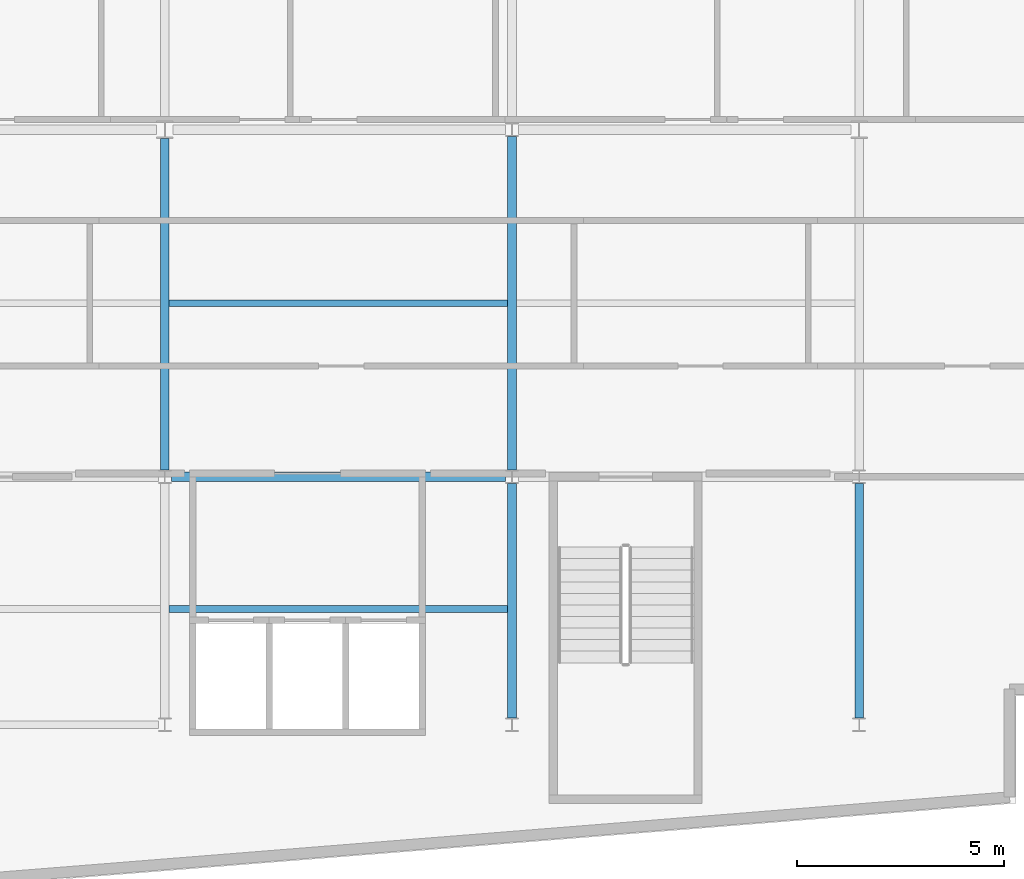
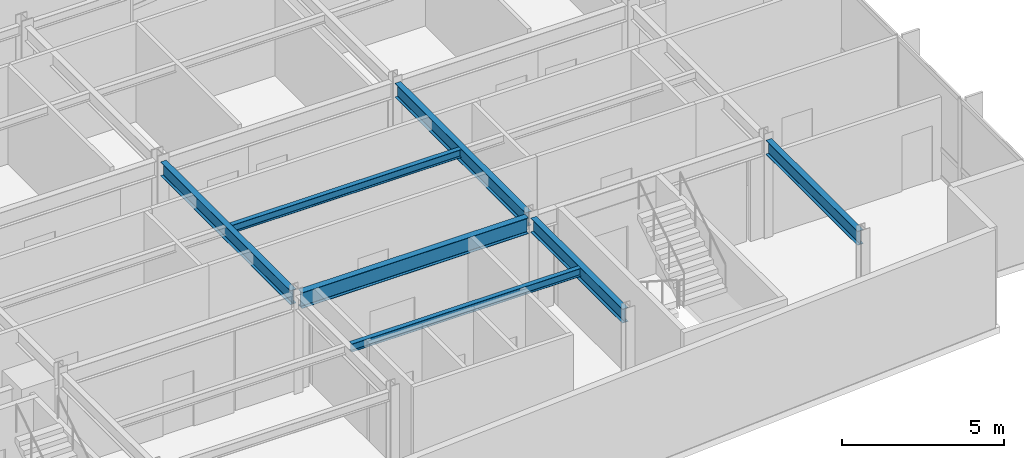
# One storey, part 4 of 17: 7 beams.
"""IFC4 building model written with IfcOpenShell, lengths in metres."""

from ifc_helpers import new_model, si_unit, direction, frame, origin, origin_2d, place, context, subcontext, project, spatial, i_section, extrude, material, material_profile, profile_set, type_object, element, save


model = new_model("IFC4")

# Units and contexts
model_context = context("Model", 3, precision=1e-05, world=origin(), true_north=direction((0.0, 1.0)))
body_context = subcontext(model_context, "Body", "Model", "MODEL_VIEW")
ifc_project = project(units=[si_unit("LENGTHUNIT", "METRE"), si_unit("AREAUNIT", "SQUARE_METRE"), si_unit("VOLUMEUNIT", "CUBIC_METRE"), si_unit("PLANEANGLEUNIT", "RADIAN"), si_unit("MASSUNIT", "GRAM", prefix="KILO")], contexts=[model_context])

# Site, building, storey
site_placement = place(None, origin())
site = spatial("IfcSite", under=ifc_project, at=site_placement, CompositionType="ELEMENT")
building_placement = place(site_placement, origin())
building = spatial("IfcBuilding", under=site, at=building_placement, Name="Varnakote Quay Hospital", CompositionType="ELEMENT")
storey_placement = place(building_placement, frame((0.0, 0.0, 127.050048828125)))
storey = spatial("IfcBuildingStorey", under=building, at=storey_placement, Name="L31", CompositionType="ELEMENT", Elevation=127.050048828125)

# Beams
ifc_material_1 = material(Name="Structural steel AS/NZS 3679.1 Grade 350 L0 (fy 340 MPa)", Category="steel")
ifc_material_profile_1 = material_profile(ifc_material_1, i_section(OverallWidth=0.208984375, OverallDepth=0.532958984375, WebThickness=0.01025390625, FlangeThickness=0.015625, FilletRadius=0.013916015625, at=origin_2d()), Name="530UB92.4")
ifc_profile_set_1 = profile_set([ifc_material_profile_1], Name="Structural steel AS/NZS 3679.1 Grade 350 L0 (fy 340 MPa)")
beam_type_1 = type_object("IfcBeamType", Name="BM-STL-530UB92-4", PredefinedType="BEAM", material=ifc_profile_set_1)
beam_1_placement = place(storey_placement, frame((33.60009765625, 12.160400390625, 3.443359375), z_axis=(0.0, 1.0, 0.0), x_axis=(-1.0, 0.0, 0.0)))
element("IfcBeam", 1, at=beam_1_placement, inside=storey, type_object=beam_type_1, Name="L31 Primary Tie Beam", PredefinedType="BEAM", context=body_context, shape_type="SweptSolid", body=[
    extrude(i_section(OverallWidth=0.208984375, OverallDepth=0.532958984375, WebThickness=0.01025390625, FlangeThickness=0.015625, FilletRadius=0.013916015625, at=origin_2d()), origin(), (0.0, 0.0, 1.0), 8.029541015625),
])
beam_2_placement = place(storey_placement, frame((42.0, 6.160400390625, 3.443359375), z_axis=(0.0, 1.0, 0.0), x_axis=(-1.0, 0.0, 0.0)))
element("IfcBeam", 2, at=beam_2_placement, inside=storey, type_object=beam_type_1, Name="L31 Primary Tie Beam", PredefinedType="BEAM", context=body_context, shape_type="SweptSolid", body=[
    extrude(i_section(OverallWidth=0.208984375, OverallDepth=0.532958984375, WebThickness=0.01025390625, FlangeThickness=0.015625, FilletRadius=0.013916015625, at=origin_2d()), origin(), (0.0, 0.0, 1.0), 5.67919921875),
])
beam_3_placement = place(storey_placement, frame((42.0, 12.160400390625, 3.443359375), z_axis=(0.0, 1.0, 0.0), x_axis=(-1.0, 0.0, 0.0)))
element("IfcBeam", 3, at=beam_3_placement, inside=storey, type_object=beam_type_1, Name="L31 Primary Tie Beam", PredefinedType="BEAM", context=body_context, shape_type="SweptSolid", body=[
    extrude(i_section(OverallWidth=0.208984375, OverallDepth=0.532958984375, WebThickness=0.01025390625, FlangeThickness=0.015625, FilletRadius=0.013916015625, at=origin_2d()), origin(), (0.0, 0.0, 1.0), 8.0791015625),
])
beam_4_placement = place(storey_placement, frame((50.39990234375, 6.160400390625, 3.443359375), z_axis=(0.0, 1.0, 0.0), x_axis=(-1.0, 0.0, 0.0)))
element("IfcBeam", 4, at=beam_4_placement, inside=storey, type_object=beam_type_1, Name="L31 Primary Tie Beam", PredefinedType="BEAM", context=body_context, shape_type="SweptSolid", body=[
    extrude(i_section(OverallWidth=0.208984375, OverallDepth=0.532958984375, WebThickness=0.01025390625, FlangeThickness=0.015625, FilletRadius=0.013916015625, at=origin_2d()), origin(), (0.0, 0.0, 1.0), 5.67919921875),
])
ifc_material_2 = material(Name="Structural steel AS/NZS 3679.1 Grade 350 L0 (fy 340 MPa)", Category="steel")
ifc_material_profile_2 = material_profile(ifc_material_2, i_section(OverallWidth=0.22802734375, OverallDepth=0.60205078125, WebThickness=0.010498046875, FlangeThickness=0.014892578125, FilletRadius=0.013916015625, at=origin_2d()), Name="610UB101")
ifc_profile_set_2 = profile_set([ifc_material_profile_2], Name="Structural steel AS/NZS 3679.1 Grade 350 L0 (fy 340 MPa)")
beam_type_2 = type_object("IfcBeamType", Name="BM-STL-610UB101", PredefinedType="BEAM", material=ifc_profile_set_2)
beam_5_placement = place(storey_placement, frame((33.75439453125, 12.0, 3.408935546875), z_axis=(1.0, 0.0, 0.0), x_axis=(0.0, 1.0, 0.0)))
element("IfcBeam", 5, at=beam_5_placement, inside=storey, type_object=beam_type_2, Name="L31 Primary Floor Beam", PredefinedType="BEAM", context=body_context, shape_type="SweptSolid", body=[
    extrude(i_section(OverallWidth=0.22802734375, OverallDepth=0.60205078125, WebThickness=0.010498046875, FlangeThickness=0.014892578125, FilletRadius=0.013916015625, at=origin_2d()), origin(), (0.0, 0.0, 1.0), 8.091064453125),
])
ifc_material_3 = material(Name="Structural steel AS/NZS 3679.1 Grade 350 L0 (fy 340 MPa)", Category="steel")
ifc_material_profile_3 = material_profile(ifc_material_3, i_section(OverallWidth=0.166015625, OverallDepth=0.306884765625, WebThickness=0.006591796875, FlangeThickness=0.01171875, FilletRadius=0.011474609375, at=origin_2d()), Name="310UB46.2")
ifc_profile_set_3 = profile_set([ifc_material_profile_3], Name="Structural steel AS/NZS 3679.1 Grade 350 L0 (fy 340 MPa)")
beam_type_3 = type_object("IfcBeamType", Name="JST-STL-310UB46-2", PredefinedType="JOIST", material=ifc_profile_set_3)
for number, where, z_axis, x_axis, name in (
    (6, (33.70458984375, 8.800048828125, 3.556396484375), (1.0, 0.0, 0.0), (0.0, 1.0, 0.0), "L31 Composite Floor Joist"),
    (7, (33.70458984375, 16.199951171875, 3.556396484375), (1.0, 0.0, 0.0), (0.0, 1.0, 0.0), "L31 Composite Floor Joist"),
):
    element("IfcBeam", number, at=place(storey_placement, frame(where, z_axis=z_axis, x_axis=x_axis)), inside=storey, type_object=beam_type_3, Name=name, PredefinedType="JOIST", context=body_context, shape_type="SweptSolid", body=[
        extrude(i_section(OverallWidth=0.166015625, OverallDepth=0.306884765625, WebThickness=0.006591796875, FlangeThickness=0.01171875, FilletRadius=0.011474609375, at=origin_2d()), origin(), (0.0, 0.0, 1.0), 8.19091796875),
    ])

save(model, "model.ifc")
